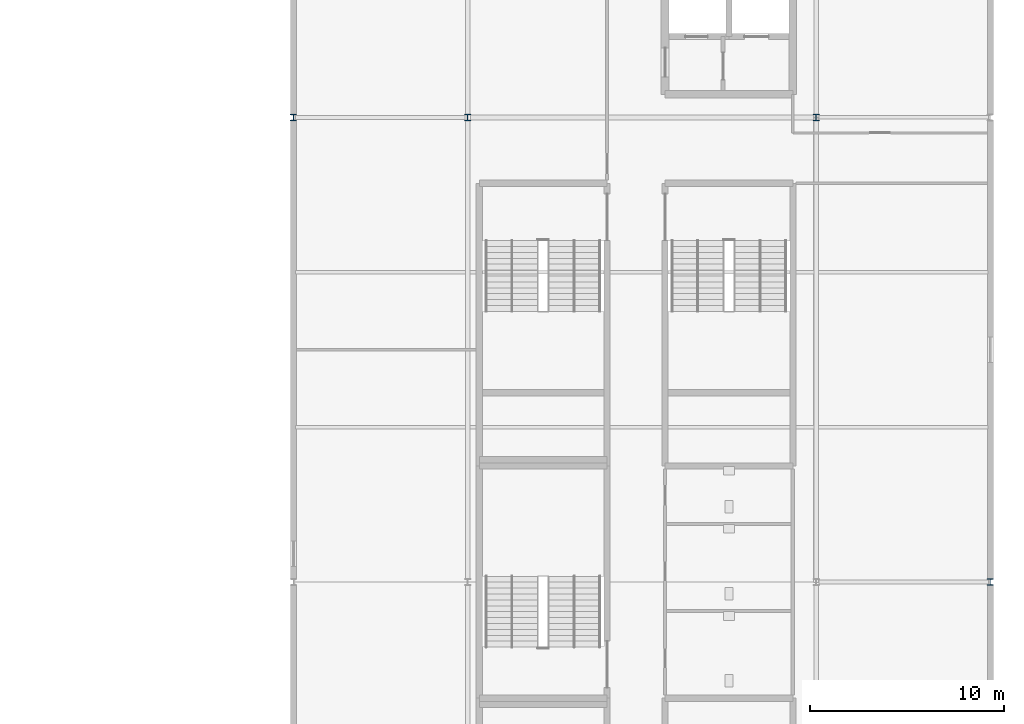
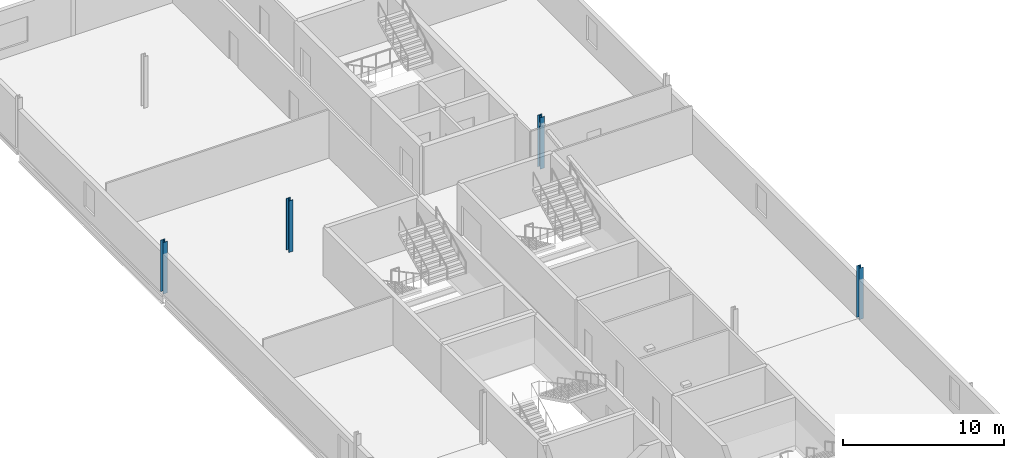
# One storey, part 7 of 27: 4 columns.
"""IFC4 building model written with IfcOpenShell, lengths in metres."""

from ifc_helpers import new_model, si_unit, direction, frame, origin, origin_2d, place, context, subcontext, project, spatial, i_section, extrude, material, material_profile, profile_set, type_object, element, save


model = new_model("IFC4")

# Units and contexts
model_context = context("Model", 3, precision=1e-05, world=origin(), true_north=direction((0.0, 1.0)))
body_context = subcontext(model_context, "Body", "Model", "MODEL_VIEW")
ifc_project = project(units=[si_unit("LENGTHUNIT", "METRE"), si_unit("AREAUNIT", "SQUARE_METRE"), si_unit("VOLUMEUNIT", "CUBIC_METRE"), si_unit("PLANEANGLEUNIT", "RADIAN"), si_unit("MASSUNIT", "GRAM", prefix="KILO")], contexts=[model_context])

# Site, building, storey
site_placement = place(None, origin())
site = spatial("IfcSite", under=ifc_project, at=site_placement, CompositionType="ELEMENT")
building_placement = place(site_placement, origin())
building = spatial("IfcBuilding", under=site, at=building_placement, Name="Kisiwana Market Hall", CompositionType="ELEMENT")
storey_placement = place(building_placement, frame((0.0, 0.0, 41.699951171875)))
storey = spatial("IfcBuildingStorey", under=building, at=storey_placement, Name="L09", CompositionType="ELEMENT", Elevation=41.699951171875)

# Columns
ifc_material_1 = material(Name="Steel S355", Category="steel")
ifc_material_profile_1 = material_profile(ifc_material_1, i_section(OverallWidth=0.30908203125, OverallDepth=0.320556640625, WebThickness=0.013916015625, FlangeThickness=0.021728515625, at=origin_2d()), Name="UC 305x305x137")
ifc_profile_set_1 = profile_set([ifc_material_profile_1], Name="Steel S355")
column_type_1 = type_object("IfcColumnType", Name="COL-STL-UC137", PredefinedType="COLUMN", material=ifc_profile_set_1)
for number, where, z_axis, x_axis, name in (
    (1, (162.0, 84.0, 0.0), (0.0, 0.0, 1.0), (1.0, 0.0, 0.0), "Column L/19 (L09) C-1239"),
    (2, (198.0, 60.0, 0.0), (0.0, 0.0, 1.0), (1.0, 0.0, 0.0), "Column H/23 (L09) C-1258"),
):
    element("IfcColumn", number, at=place(storey_placement, frame(where, z_axis=z_axis, x_axis=x_axis)), inside=storey, type_object=column_type_1, Name=name, PredefinedType="COLUMN", context=body_context, shape_type="SweptSolid", body=[
        extrude(i_section(OverallWidth=0.30908203125, OverallDepth=0.320556640625, WebThickness=0.013916015625, FlangeThickness=0.021728515625, at=origin_2d()), origin(), (0.0, 0.0, 1.0), 3.900146484375),
    ])
ifc_material_2 = material(Name="Steel S355", Category="steel")
ifc_material_profile_2 = material_profile(ifc_material_2, i_section(OverallWidth=0.314453125, OverallDepth=0.33984375, WebThickness=0.01904296875, FlangeThickness=0.031494140625, at=origin_2d()), Name="UC 305x305x198")
ifc_profile_set_2 = profile_set([ifc_material_profile_2], Name="Steel S355")
column_type_2 = type_object("IfcColumnType", Name="COL-STL-UC198", PredefinedType="COLUMN", material=ifc_profile_set_2)
for number, where, z_axis, x_axis, name in (
    (3, (171.0, 84.0, 0.0), (0.0, 0.0, 1.0), (1.0, 0.0, 0.0), "Column L/20 (L09) C-1246"),
    (4, (189.0, 84.0, 0.0), (0.0, 0.0, 1.0), (1.0, 0.0, 0.0), "Column L/22 (L09) C-1252"),
):
    element("IfcColumn", number, at=place(storey_placement, frame(where, z_axis=z_axis, x_axis=x_axis)), inside=storey, type_object=column_type_2, Name=name, PredefinedType="COLUMN", context=body_context, shape_type="SweptSolid", body=[
        extrude(i_section(OverallWidth=0.314453125, OverallDepth=0.33984375, WebThickness=0.01904296875, FlangeThickness=0.031494140625, at=origin_2d()), origin(), (0.0, 0.0, 1.0), 3.900146484375),
    ])

save(model, "model.ifc")
